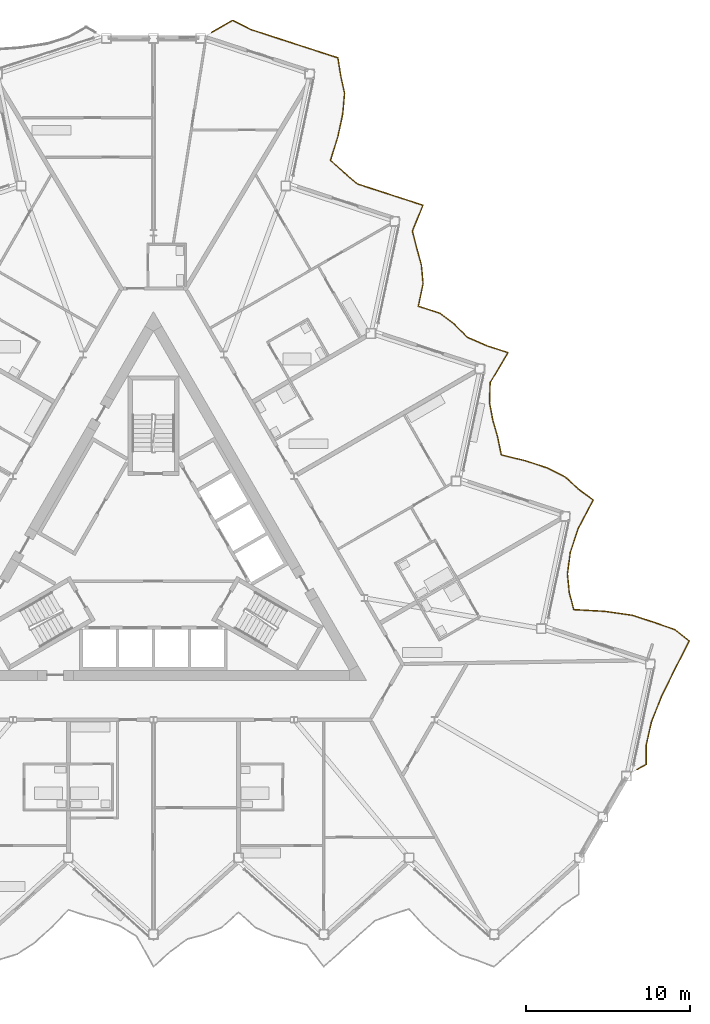
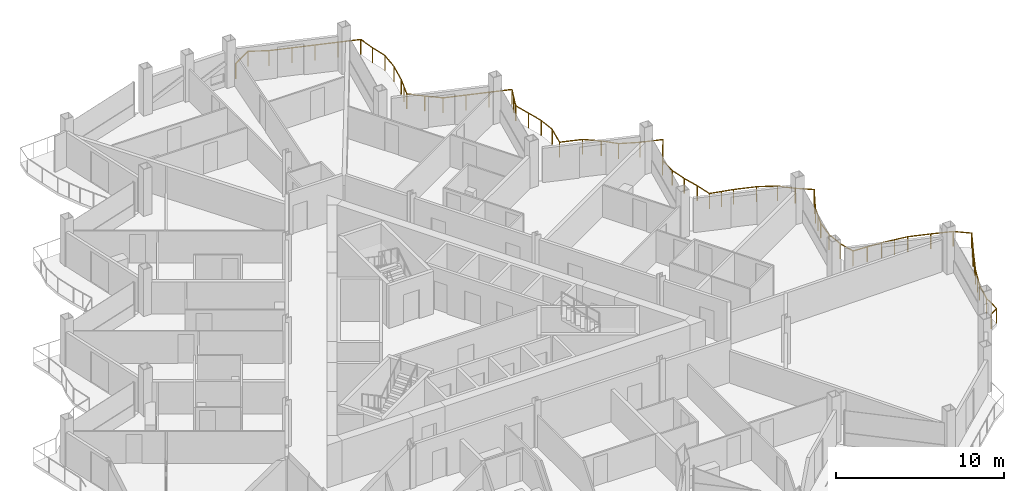
# One storey, part 24 of 26: 1 railing.
"""IFC4 building model written with IfcOpenShell, lengths in metres."""

from ifc_helpers import new_model, si_unit, direction, frame, origin, origin_2d, place, context, subcontext, project, spatial, circle, extrude, material, type_object, element, save


model = new_model("IFC4")

# Units and contexts
model_context = context("Model", 3, precision=1e-05, world=origin(), true_north=direction((0.0, 1.0)))
body_context = subcontext(model_context, "Body", "Model", "MODEL_VIEW")
ifc_project = project(units=[si_unit("LENGTHUNIT", "METRE"), si_unit("AREAUNIT", "SQUARE_METRE"), si_unit("VOLUMEUNIT", "CUBIC_METRE"), si_unit("PLANEANGLEUNIT", "RADIAN"), si_unit("MASSUNIT", "GRAM", prefix="KILO")], contexts=[model_context])

# Site, building, storey
site_placement = place(None, origin())
site = spatial("IfcSite", under=ifc_project, at=site_placement, CompositionType="ELEMENT")
building_placement = place(site_placement, origin())
building = spatial("IfcBuilding", under=site, at=building_placement, Name="Cormorant Prow Tower", CompositionType="ELEMENT")
storey_placement = place(building_placement, frame((0.0, 0.0, 325.60009765625)))
storey = spatial("IfcBuildingStorey", under=building, at=storey_placement, Name="L72", CompositionType="ELEMENT", Elevation=325.60009765625)

# Railing
ifc_material = material(Name="Aluminium 6063-T6", Category="aluminium")
railing_type = type_object("IfcRailingType", Name="Balcony guard 1100", PredefinedType="GUARDRAIL", material=ifc_material)
railing_placement = place(storey_placement, frame((29.526123046875, -12.944580078125, 0.0)))
element("IfcRailing", 1, at=railing_placement, inside=storey, type_object=railing_type, Name="Balcony guard ENE", PredefinedType="GUARDRAIL", context=body_context, shape_type="SweptSolid", body=[
    extrude(circle(Radius=0.02392578125, at=origin_2d()), frame((0.0, 0.0, 1.076171875), z_axis=(0.866204753408, 0.499689228594, 0.0), x_axis=(-0.499689228594, 0.866204753408, 0.0)), (0.0, 0.0, 1.0), 0.63623046875),
    extrude(circle(Radius=0.02392578125, at=origin_2d()), frame((0.551025390625, 0.31787109375, 1.076171875), z_axis=(0.003046908465, 0.999995358164, 0.0), x_axis=(-0.999995358164, 0.003046908465, 0.0)), (0.0, 0.0, 1.0), 1.201904296875),
    extrude(circle(Radius=0.02392578125, at=origin_2d()), frame((0.5546875, 1.519775390625, 1.076171875), z_axis=(0.221129028399, 0.975244560507, 0.0), x_axis=(-0.975244560507, 0.221129028399, 0.0)), (0.0, 0.0, 1.0), 1.41552734375),
    extrude(circle(Radius=0.02392578125, at=origin_2d()), frame((0.86767578125, 2.900146484375, 1.076171875), z_axis=(0.368116803068, 0.929779554141, 0.0), x_axis=(-0.929779554141, 0.368116803068, 0.0)), (0.0, 0.0, 1.0), 1.672607421875),
    extrude(circle(Radius=0.02392578125, at=origin_2d()), frame((1.4833984375, 4.455322265625, 1.076171875), z_axis=(0.441027763274, 0.897493460712, 0.0), x_axis=(-0.897493460712, 0.441027763274, 0.0)), (0.0, 0.0, 1.0), 1.8662109375),
    extrude(circle(Radius=0.02392578125, at=origin_2d()), frame((2.306396484375, 6.130126953125, 1.076171875), z_axis=(0.456267471414, 0.889842679651, 0.0), x_axis=(-0.889842679651, 0.456267471414, 0.0)), (0.0, 0.0, 1.0), 1.9150390625),
    extrude(circle(Radius=0.02392578125, at=origin_2d()), frame((3.18017578125, 7.834228515625, 1.076171875), z_axis=(-0.778575404599, 0.627551065137, 0.0), x_axis=(-0.627551065137, -0.778575404599, 0.0)), (0.0, 0.0, 1.0), 1.11376953125),
    extrude(circle(Radius=0.02392578125, at=origin_2d()), frame((2.31298828125, 8.533203125, 1.076171875), z_axis=(-0.943744416998, 0.330675785907, 0.0), x_axis=(-0.330675785907, -0.943744416998, 0.0)), (0.0, 0.0, 1.0), 1.370361328125),
    extrude(circle(Radius=0.02392578125, at=origin_2d()), frame((1.019775390625, 8.986328125, 1.076171875), z_axis=(-0.951031502071, 0.309093969641, 0.0), x_axis=(-0.309093969641, -0.951031502071, 0.0)), (0.0, 0.0, 1.0), 1.39794921875),
    extrude(circle(Radius=0.02392578125, at=origin_2d()), frame((-0.309814453125, 9.41845703125, 1.076171875), z_axis=(-0.990016090346, 0.140954392825, 0.0), x_axis=(-0.140954392825, -0.990016090346, 0.0)), (0.0, 0.0, 1.0), 1.68359375),
    extrude(circle(Radius=0.02392578125, at=origin_2d()), frame((-1.9765625, 9.65576171875, 1.076171875), z_axis=(-0.998423291898, 0.056133147036, 0.0), x_axis=(-0.056133147036, -0.998423291898, 0.0)), (0.0, 0.0, 1.0), 1.896240234375),
    extrude(circle(Radius=0.02392578125, at=origin_2d()), frame((-3.869873046875, 9.76220703125, 1.076171875), z_axis=(-0.255799063702, 0.966729972127, 0.0), x_axis=(-0.966729972127, -0.255799063702, 0.0)), (0.0, 0.0, 1.0), 1.07666015625),
    extrude(circle(Radius=0.02392578125, at=origin_2d()), frame((-4.145263671875, 10.802978515625, 1.076171875), z_axis=(-0.097808345794, 0.995205269024, 0.0), x_axis=(-0.995205269024, -0.097808345794, 0.0)), (0.0, 0.0, 1.0), 1.140625),
    extrude(circle(Radius=0.02392578125, at=origin_2d()), frame((-4.2568359375, 11.938232421875, 1.076171875), z_axis=(0.130343568202, 0.991468887171, 0.0), x_axis=(-0.991468887171, 0.130343568202, 0.0)), (0.0, 0.0, 1.0), 1.309326171875),
    extrude(circle(Radius=0.02392578125, at=origin_2d()), frame((-4.086181640625, 13.236328125, 1.076171875), z_axis=(0.312891848083, 0.949788761464, 0.0), x_axis=(-0.949788761464, 0.312891848083, 0.0)), (0.0, 0.0, 1.0), 1.559814453125),
    extrude(circle(Radius=0.02392578125, at=origin_2d()), frame((-3.59814453125, 14.7177734375, 1.076171875), z_axis=(0.467491502757, 0.883997564957, 0.0), x_axis=(-0.883997564957, 0.467491502757, 0.0)), (0.0, 0.0, 1.0), 1.95361328125),
    extrude(circle(Radius=0.02392578125, at=origin_2d()), frame((-2.684814453125, 16.44482421875, 1.076171875), z_axis=(-0.80549386199, 0.592604115997, 0.0), x_axis=(-0.592604115997, -0.80549386199, 0.0)), (0.0, 0.0, 1.0), 1.13427734375),
    extrude(circle(Radius=0.02392578125, at=origin_2d()), frame((-3.598388671875, 17.116943359375, 1.076171875), z_axis=(-0.73064395637, 0.682758675537, 0.0), x_axis=(-0.682758675537, -0.73064395637, 0.0)), (0.0, 0.0, 1.0), 1.0859375),
    extrude(circle(Radius=0.02392578125, at=origin_2d()), frame((-4.391845703125, 17.8583984375, 1.076171875), z_axis=(-0.894073755928, 0.447919768441, 0.0), x_axis=(-0.447919768441, -0.894073755928, 0.0)), (0.0, 0.0, 1.0), 1.244384765625),
    extrude(circle(Radius=0.02392578125, at=origin_2d()), frame((-5.50439453125, 18.415771484375, 1.076171875), z_axis=(-0.951031502071, 0.309093969641, 0.0), x_axis=(-0.309093969641, -0.951031502071, 0.0)), (0.0, 0.0, 1.0), 1.39794921875),
    extrude(circle(Radius=0.02392578125, at=origin_2d()), frame((-6.833984375, 18.847900390625, 1.076171875), z_axis=(-0.971641406647, 0.236459249956, 0.0), x_axis=(-0.236459249956, -0.971641406647, 0.0)), (0.0, 0.0, 1.0), 1.50439453125),
    extrude(circle(Radius=0.02392578125, at=origin_2d()), frame((-8.295654296875, 19.20361328125, 1.076171875), z_axis=(-0.197786343322, 0.980245154232, 0.0), x_axis=(-0.980245154232, -0.197786343322, 0.0)), (0.0, 0.0, 1.0), 1.09619140625),
    extrude(circle(Radius=0.02392578125, at=origin_2d()), frame((-8.512451171875, 20.278076171875, 1.076171875), z_axis=(-0.27661809611, 0.960979931582, 0.0), x_axis=(-0.960979931582, -0.27661809611, 0.0)), (0.0, 0.0, 1.0), 1.070556640625),
    extrude(circle(Radius=0.02392578125, at=origin_2d()), frame((-8.80859375, 21.306884765625, 1.076171875), z_axis=(-0.18420823114, 0.982887240522, 0.0), x_axis=(-0.982887240522, -0.18420823114, 0.0)), (0.0, 0.0, 1.0), 1.101318359375),
    extrude(circle(Radius=0.02392578125, at=origin_2d()), frame((-9.011474609375, 22.389404296875, 1.076171875), z_axis=(0.029005201679, 0.999579260627, 0.0), x_axis=(-0.999579260627, 0.029005201679, 0.0)), (0.0, 0.0, 1.0), 1.220458984375),
    extrude(circle(Radius=0.02392578125, at=origin_2d()), frame((-8.97607421875, 23.609375, 1.076171875), z_axis=(0.513419619351, 0.85813768969, 0.0), x_axis=(-0.85813768969, 0.513419619351, 0.0)), (0.0, 0.0, 1.0), 2.135986328125),
    extrude(circle(Radius=0.02392578125, at=origin_2d()), frame((-7.87939453125, 25.4423828125, 1.076171875), z_axis=(-0.95108282544, 0.308936011422, 0.0), x_axis=(-0.308936011422, -0.95108282544, 0.0)), (0.0, 0.0, 1.0), 1.39794921875),
    extrude(circle(Radius=0.02392578125, at=origin_2d()), frame((-9.208984375, 25.874267578125, 1.076171875), z_axis=(-0.914732263539, 0.404060497996, 0.0), x_axis=(-0.404060497996, -0.914732263539, 0.0)), (0.0, 0.0, 1.0), 1.286865234375),
    extrude(circle(Radius=0.02392578125, at=origin_2d()), frame((-10.38623046875, 26.394287109375, 1.076171875), z_axis=(-0.700592186482, 0.713561902178, 0.0), x_axis=(-0.713561902178, -0.700592186482, 0.0)), (0.0, 0.0, 1.0), 1.072998046875),
    extrude(circle(Radius=0.02392578125, at=origin_2d()), frame((-11.137939453125, 27.159912109375, 1.076171875), z_axis=(-0.792510941988, 0.609857693917, 0.0), x_axis=(-0.609857693917, -0.792510941988, 0.0)), (0.0, 0.0, 1.0), 1.1240234375),
    extrude(circle(Radius=0.02392578125, at=origin_2d()), frame((-12.02880859375, 27.845458984375, 1.076171875), z_axis=(-0.95108282544, 0.308936011422, 0.0), x_axis=(-0.308936011422, -0.95108282544, 0.0)), (0.0, 0.0, 1.0), 1.39794921875),
    extrude(circle(Radius=0.02392578125, at=origin_2d()), frame((-13.3583984375, 28.27734375, 1.076171875), z_axis=(0.207990337228, 0.978130880619, 0.0), x_axis=(-0.978130880619, 0.207990337228, 0.0)), (0.0, 0.0, 1.0), 1.39794921875),
    extrude(circle(Radius=0.02392578125, at=origin_2d()), frame((-13.067626953125, 29.644775390625, 1.076171875), z_axis=(-0.090439585375, 0.995901943666, 0.0), x_axis=(-0.995901943666, -0.090439585375, 0.0)), (0.0, 0.0, 1.0), 1.14453125),
    extrude(circle(Radius=0.02392578125, at=origin_2d()), frame((-13.171142578125, 30.78466796875, 1.076171875), z_axis=(-0.262367704354, 0.964967972376, 0.0), x_axis=(-0.964967972376, -0.262367704354, 0.0)), (0.0, 0.0, 1.0), 1.07470703125),
    extrude(circle(Radius=0.02392578125, at=origin_2d()), frame((-13.453125, 31.82177734375, 1.076171875), z_axis=(-0.245354615478, 0.969433397745, 0.0), x_axis=(-0.969433397745, -0.245354615478, 0.0)), (0.0, 0.0, 1.0), 1.07958984375),
    extrude(circle(Radius=0.02392578125, at=origin_2d()), frame((-13.718017578125, 32.868408203125, 1.076171875), z_axis=(0.379136640901, 0.925340698082, 0.0), x_axis=(-0.925340698082, 0.379136640901, 0.0)), (0.0, 0.0, 1.0), 1.697998046875),
    extrude(circle(Radius=0.02392578125, at=origin_2d()), frame((-13.07421875, 34.439697265625, 1.076171875), z_axis=(-0.951031502071, 0.309093969641, 0.0), x_axis=(-0.309093969641, -0.951031502071, 0.0)), (0.0, 0.0, 1.0), 1.39794921875),
    extrude(circle(Radius=0.02392578125, at=origin_2d()), frame((-14.40380859375, 34.871826171875, 1.076171875), z_axis=(-0.951031502071, 0.309093969641, 0.0), x_axis=(-0.309093969641, -0.951031502071, 0.0)), (0.0, 0.0, 1.0), 1.39794921875),
    extrude(circle(Radius=0.02392578125, at=origin_2d()), frame((-15.7333984375, 35.303955078125, 1.076171875), z_axis=(-0.95108282544, 0.308936011422, 0.0), x_axis=(-0.308936011422, -0.95108282544, 0.0)), (0.0, 0.0, 1.0), 1.39794921875),
    extrude(circle(Radius=0.02392578125, at=origin_2d()), frame((-17.06298828125, 35.73583984375, 1.076171875), z_axis=(-0.767297974919, 0.64129074349, 0.0), x_axis=(-0.64129074349, -0.767297974919, 0.0)), (0.0, 0.0, 1.0), 1.106201171875),
    extrude(circle(Radius=0.02392578125, at=origin_2d()), frame((-17.911865234375, 36.4453125, 1.076171875), z_axis=(-0.741244268081, 0.671235379756, 0.0), x_axis=(-0.671235379756, -0.741244268081, 0.0)), (0.0, 0.0, 1.0), 1.091552734375),
    extrude(circle(Radius=0.02392578125, at=origin_2d()), frame((-18.720947265625, 37.177978515625, 1.076171875), z_axis=(0.29894528299, 0.954270254057, 0.0), x_axis=(-0.954270254057, 0.29894528299, 0.0)), (0.0, 0.0, 1.0), 1.534423828125),
    extrude(circle(Radius=0.02392578125, at=origin_2d()), frame((-18.26220703125, 38.642333984375, 1.076171875), z_axis=(0.207823247792, 0.9781663957, 0.0), x_axis=(-0.9781663957, 0.207823247792, 0.0)), (0.0, 0.0, 1.0), 1.39794921875),
    extrude(circle(Radius=0.02392578125, at=origin_2d()), frame((-17.9716796875, 40.009765625, 1.076171875), z_axis=(0.087742187923, 0.996143216841, 0.0), x_axis=(-0.996143216841, 0.087742187923, 0.0)), (0.0, 0.0, 1.0), 1.268798828125),
    extrude(circle(Radius=0.02392578125, at=origin_2d()), frame((-17.8603515625, 41.273681640625, 1.076171875), z_axis=(-0.214558424131, 0.976711156194, 0.0), x_axis=(-0.976711156194, -0.214558424131, 0.0)), (0.0, 0.0, 1.0), 1.090087890625),
    extrude(circle(Radius=0.02392578125, at=origin_2d()), frame((-18.09423828125, 42.33837890625, 1.076171875), z_axis=(-0.156886448113, 0.98761664749, 0.0), x_axis=(-0.98761664749, -0.156886448113, 0.0)), (0.0, 0.0, 1.0), 1.112548828125),
    extrude(circle(Radius=0.02392578125, at=origin_2d()), frame((-18.268798828125, 43.437255859375, 1.076171875), z_axis=(-0.951031502071, 0.309093969641, 0.0), x_axis=(-0.309093969641, -0.951031502071, 0.0)), (0.0, 0.0, 1.0), 1.39794921875),
    extrude(circle(Radius=0.02392578125, at=origin_2d()), frame((-19.598388671875, 43.869384765625, 1.076171875), z_axis=(-0.95108282544, 0.308936011422, 0.0), x_axis=(-0.308936011422, -0.95108282544, 0.0)), (0.0, 0.0, 1.0), 1.39794921875),
    extrude(circle(Radius=0.02392578125, at=origin_2d()), frame((-20.927978515625, 44.30126953125, 1.076171875), z_axis=(-0.951031502071, 0.309093969641, 0.0), x_axis=(-0.309093969641, -0.951031502071, 0.0)), (0.0, 0.0, 1.0), 1.39794921875),
    extrude(circle(Radius=0.02392578125, at=origin_2d()), frame((-22.257568359375, 44.7333984375, 1.076171875), z_axis=(-0.95108282544, 0.308936011422, 0.0), x_axis=(-0.308936011422, -0.95108282544, 0.0)), (0.0, 0.0, 1.0), 1.39794921875),
    extrude(circle(Radius=0.02392578125, at=origin_2d()), frame((-23.587158203125, 45.165283203125, 1.076171875), z_axis=(-0.893680068618, 0.448704730257, 0.0), x_axis=(-0.448704730257, -0.893680068618, 0.0)), (0.0, 0.0, 1.0), 1.243896484375),
    extrude(circle(Radius=0.02392578125, at=origin_2d()), frame((-24.69873046875, 45.723388671875, 1.076171875), z_axis=(-0.865978411185, -0.500081384739, 0.0), x_axis=(0.500081384739, -0.865978411185, 0.0)), (0.0, 0.0, 1.0), 1.471923828125),
    extrude(circle(Radius=0.02099609375, at=origin_2d()), origin(), (0.0, 0.0, 1.0), 1.052001953125),
    extrude(circle(Radius=0.02099609375, at=origin_2d()), frame((0.551025390625, 0.31787109375, 0.0)), (0.0, 0.0, 1.0), 1.052001953125),
    extrude(circle(Radius=0.02099609375, at=origin_2d()), frame((0.5546875, 1.519775390625, 0.0)), (0.0, 0.0, 1.0), 1.052001953125),
    extrude(circle(Radius=0.02099609375, at=origin_2d()), frame((0.86767578125, 2.900146484375, 0.0)), (0.0, 0.0, 1.0), 1.052001953125),
    extrude(circle(Radius=0.02099609375, at=origin_2d()), frame((1.175537109375, 3.677734375, 0.0)), (0.0, 0.0, 1.0), 1.052001953125),
    extrude(circle(Radius=0.02099609375, at=origin_2d()), frame((1.4833984375, 4.455322265625, 0.0)), (0.0, 0.0, 1.0), 1.052001953125),
    extrude(circle(Radius=0.02099609375, at=origin_2d()), frame((1.89501953125, 5.292724609375, 0.0)), (0.0, 0.0, 1.0), 1.052001953125),
    extrude(circle(Radius=0.02099609375, at=origin_2d()), frame((2.306396484375, 6.130126953125, 0.0)), (0.0, 0.0, 1.0), 1.052001953125),
    extrude(circle(Radius=0.02099609375, at=origin_2d()), frame((2.7431640625, 6.982177734375, 0.0)), (0.0, 0.0, 1.0), 1.052001953125),
    extrude(circle(Radius=0.02099609375, at=origin_2d()), frame((3.18017578125, 7.834228515625, 0.0)), (0.0, 0.0, 1.0), 1.052001953125),
    extrude(circle(Radius=0.02099609375, at=origin_2d()), frame((2.31298828125, 8.533203125, 0.0)), (0.0, 0.0, 1.0), 1.052001953125),
    extrude(circle(Radius=0.02099609375, at=origin_2d()), frame((1.019775390625, 8.986328125, 0.0)), (0.0, 0.0, 1.0), 1.052001953125),
    extrude(circle(Radius=0.02099609375, at=origin_2d()), frame((-0.309814453125, 9.41845703125, 0.0)), (0.0, 0.0, 1.0), 1.052001953125),
    extrude(circle(Radius=0.02099609375, at=origin_2d()), frame((-1.14306640625, 9.537109375, 0.0)), (0.0, 0.0, 1.0), 1.052001953125),
    extrude(circle(Radius=0.02099609375, at=origin_2d()), frame((-1.9765625, 9.65576171875, 0.0)), (0.0, 0.0, 1.0), 1.052001953125),
    extrude(circle(Radius=0.02099609375, at=origin_2d()), frame((-2.92333984375, 9.708984375, 0.0)), (0.0, 0.0, 1.0), 1.052001953125),
    extrude(circle(Radius=0.02099609375, at=origin_2d()), frame((-3.869873046875, 9.76220703125, 0.0)), (0.0, 0.0, 1.0), 1.052001953125),
    extrude(circle(Radius=0.02099609375, at=origin_2d()), frame((-4.145263671875, 10.802978515625, 0.0)), (0.0, 0.0, 1.0), 1.052001953125),
    extrude(circle(Radius=0.02099609375, at=origin_2d()), frame((-4.2568359375, 11.938232421875, 0.0)), (0.0, 0.0, 1.0), 1.052001953125),
    extrude(circle(Radius=0.02099609375, at=origin_2d()), frame((-4.086181640625, 13.236328125, 0.0)), (0.0, 0.0, 1.0), 1.052001953125),
    extrude(circle(Radius=0.02099609375, at=origin_2d()), frame((-3.84228515625, 13.97705078125, 0.0)), (0.0, 0.0, 1.0), 1.052001953125),
    extrude(circle(Radius=0.02099609375, at=origin_2d()), frame((-3.59814453125, 14.7177734375, 0.0)), (0.0, 0.0, 1.0), 1.052001953125),
    extrude(circle(Radius=0.02099609375, at=origin_2d()), frame((-3.1416015625, 15.581298828125, 0.0)), (0.0, 0.0, 1.0), 1.052001953125),
    extrude(circle(Radius=0.02099609375, at=origin_2d()), frame((-2.684814453125, 16.44482421875, 0.0)), (0.0, 0.0, 1.0), 1.052001953125),
    extrude(circle(Radius=0.02099609375, at=origin_2d()), frame((-3.598388671875, 17.116943359375, 0.0)), (0.0, 0.0, 1.0), 1.052001953125),
    extrude(circle(Radius=0.02099609375, at=origin_2d()), frame((-4.391845703125, 17.8583984375, 0.0)), (0.0, 0.0, 1.0), 1.052001953125),
    extrude(circle(Radius=0.02099609375, at=origin_2d()), frame((-5.50439453125, 18.415771484375, 0.0)), (0.0, 0.0, 1.0), 1.052001953125),
    extrude(circle(Radius=0.02099609375, at=origin_2d()), frame((-6.833984375, 18.847900390625, 0.0)), (0.0, 0.0, 1.0), 1.052001953125),
    extrude(circle(Radius=0.02099609375, at=origin_2d()), frame((-7.56494140625, 19.02587890625, 0.0)), (0.0, 0.0, 1.0), 1.052001953125),
    extrude(circle(Radius=0.02099609375, at=origin_2d()), frame((-8.295654296875, 19.20361328125, 0.0)), (0.0, 0.0, 1.0), 1.052001953125),
    extrude(circle(Radius=0.02099609375, at=origin_2d()), frame((-8.512451171875, 20.278076171875, 0.0)), (0.0, 0.0, 1.0), 1.052001953125),
    extrude(circle(Radius=0.02099609375, at=origin_2d()), frame((-8.80859375, 21.306884765625, 0.0)), (0.0, 0.0, 1.0), 1.052001953125),
    extrude(circle(Radius=0.02099609375, at=origin_2d()), frame((-9.011474609375, 22.389404296875, 0.0)), (0.0, 0.0, 1.0), 1.052001953125),
    extrude(circle(Radius=0.02099609375, at=origin_2d()), frame((-8.97607421875, 23.609375, 0.0)), (0.0, 0.0, 1.0), 1.052001953125),
    extrude(circle(Radius=0.02099609375, at=origin_2d()), frame((-8.427734375, 24.52587890625, 0.0)), (0.0, 0.0, 1.0), 1.052001953125),
    extrude(circle(Radius=0.02099609375, at=origin_2d()), frame((-7.87939453125, 25.4423828125, 0.0)), (0.0, 0.0, 1.0), 1.052001953125),
    extrude(circle(Radius=0.02099609375, at=origin_2d()), frame((-9.208984375, 25.874267578125, 0.0)), (0.0, 0.0, 1.0), 1.052001953125),
    extrude(circle(Radius=0.02099609375, at=origin_2d()), frame((-10.38623046875, 26.394287109375, 0.0)), (0.0, 0.0, 1.0), 1.052001953125),
    extrude(circle(Radius=0.02099609375, at=origin_2d()), frame((-11.137939453125, 27.159912109375, 0.0)), (0.0, 0.0, 1.0), 1.052001953125),
    extrude(circle(Radius=0.02099609375, at=origin_2d()), frame((-12.02880859375, 27.845458984375, 0.0)), (0.0, 0.0, 1.0), 1.052001953125),
    extrude(circle(Radius=0.02099609375, at=origin_2d()), frame((-13.3583984375, 28.27734375, 0.0)), (0.0, 0.0, 1.0), 1.052001953125),
    extrude(circle(Radius=0.02099609375, at=origin_2d()), frame((-13.067626953125, 29.644775390625, 0.0)), (0.0, 0.0, 1.0), 1.052001953125),
    extrude(circle(Radius=0.02099609375, at=origin_2d()), frame((-13.171142578125, 30.78466796875, 0.0)), (0.0, 0.0, 1.0), 1.052001953125),
    extrude(circle(Radius=0.02099609375, at=origin_2d()), frame((-13.453125, 31.82177734375, 0.0)), (0.0, 0.0, 1.0), 1.052001953125),
    extrude(circle(Radius=0.02099609375, at=origin_2d()), frame((-13.718017578125, 32.868408203125, 0.0)), (0.0, 0.0, 1.0), 1.052001953125),
    extrude(circle(Radius=0.02099609375, at=origin_2d()), frame((-13.39599609375, 33.654052734375, 0.0)), (0.0, 0.0, 1.0), 1.052001953125),
    extrude(circle(Radius=0.02099609375, at=origin_2d()), frame((-13.07421875, 34.439697265625, 0.0)), (0.0, 0.0, 1.0), 1.052001953125),
    extrude(circle(Radius=0.02099609375, at=origin_2d()), frame((-14.40380859375, 34.871826171875, 0.0)), (0.0, 0.0, 1.0), 1.052001953125),
    extrude(circle(Radius=0.02099609375, at=origin_2d()), frame((-15.7333984375, 35.303955078125, 0.0)), (0.0, 0.0, 1.0), 1.052001953125),
    extrude(circle(Radius=0.02099609375, at=origin_2d()), frame((-17.06298828125, 35.73583984375, 0.0)), (0.0, 0.0, 1.0), 1.052001953125),
    extrude(circle(Radius=0.02099609375, at=origin_2d()), frame((-17.911865234375, 36.4453125, 0.0)), (0.0, 0.0, 1.0), 1.052001953125),
    extrude(circle(Radius=0.02099609375, at=origin_2d()), frame((-18.720947265625, 37.177978515625, 0.0)), (0.0, 0.0, 1.0), 1.052001953125),
    extrude(circle(Radius=0.02099609375, at=origin_2d()), frame((-18.49169921875, 37.91015625, 0.0)), (0.0, 0.0, 1.0), 1.052001953125),
    extrude(circle(Radius=0.02099609375, at=origin_2d()), frame((-18.26220703125, 38.642333984375, 0.0)), (0.0, 0.0, 1.0), 1.052001953125),
    extrude(circle(Radius=0.02099609375, at=origin_2d()), frame((-17.9716796875, 40.009765625, 0.0)), (0.0, 0.0, 1.0), 1.052001953125),
    extrude(circle(Radius=0.02099609375, at=origin_2d()), frame((-17.8603515625, 41.273681640625, 0.0)), (0.0, 0.0, 1.0), 1.052001953125),
    extrude(circle(Radius=0.02099609375, at=origin_2d()), frame((-18.09423828125, 42.33837890625, 0.0)), (0.0, 0.0, 1.0), 1.052001953125),
    extrude(circle(Radius=0.02099609375, at=origin_2d()), frame((-18.268798828125, 43.437255859375, 0.0)), (0.0, 0.0, 1.0), 1.052001953125),
    extrude(circle(Radius=0.02099609375, at=origin_2d()), frame((-19.598388671875, 43.869384765625, 0.0)), (0.0, 0.0, 1.0), 1.052001953125),
    extrude(circle(Radius=0.02099609375, at=origin_2d()), frame((-20.927978515625, 44.30126953125, 0.0)), (0.0, 0.0, 1.0), 1.052001953125),
    extrude(circle(Radius=0.02099609375, at=origin_2d()), frame((-22.257568359375, 44.7333984375, 0.0)), (0.0, 0.0, 1.0), 1.052001953125),
    extrude(circle(Radius=0.02099609375, at=origin_2d()), frame((-23.587158203125, 45.165283203125, 0.0)), (0.0, 0.0, 1.0), 1.052001953125),
    extrude(circle(Radius=0.02099609375, at=origin_2d()), frame((-24.69873046875, 45.723388671875, 0.0)), (0.0, 0.0, 1.0), 1.052001953125),
    extrude(circle(Radius=0.02099609375, at=origin_2d()), frame((-25.973388671875, 44.9873046875, 0.0)), (0.0, 0.0, 1.0), 1.052001953125),
])

save(model, "model.ifc")
